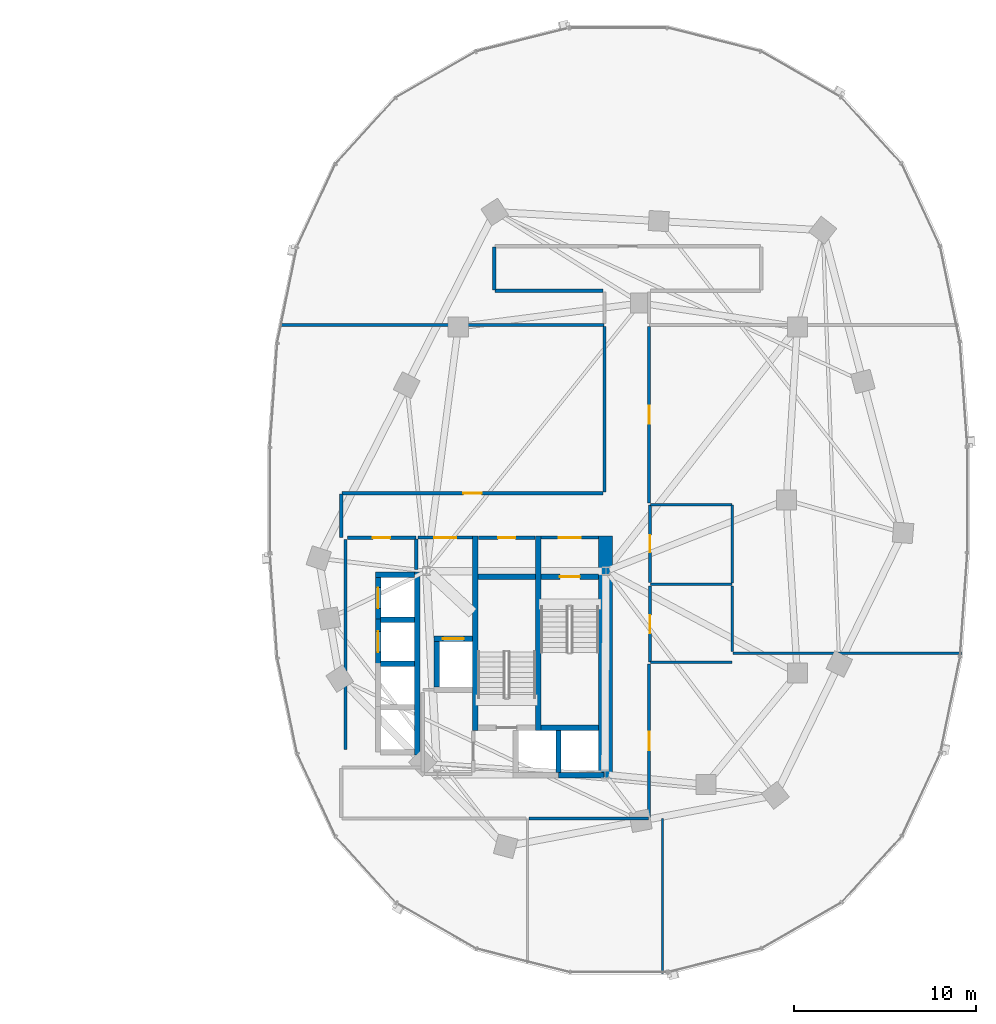
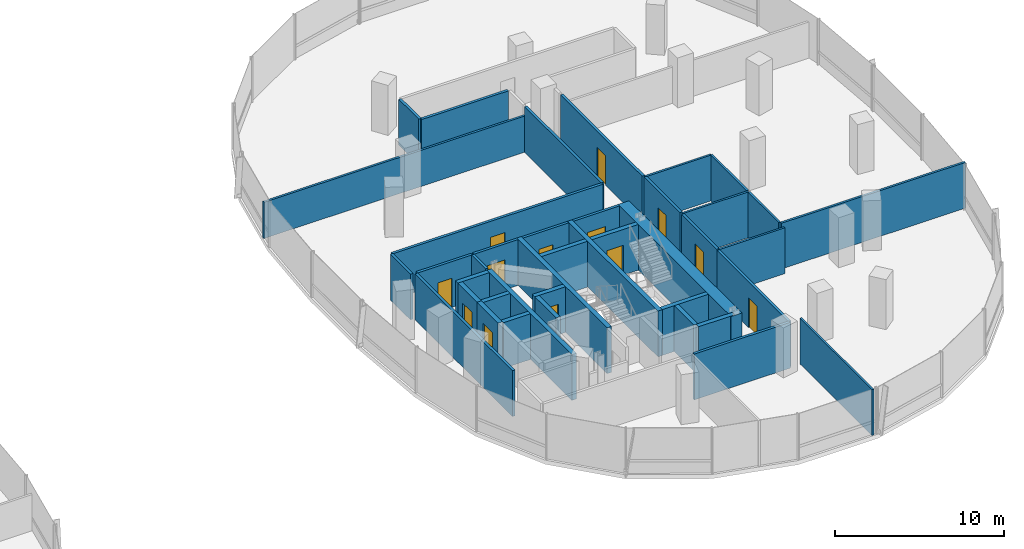
# One storey, part 13 of 21: 40 walls, 13 doors, 13 openings.
"""IFC4 building model written with IfcOpenShell, lengths in metres."""

from ifc_helpers import new_model, si_unit, direction, frame, frame_2d, origin, place, context, subcontext, project, spatial, rectangle, extrude, material, layer, layer_set, type_object, element, fill, save


model = new_model("IFC4")

# Units and contexts
model_context = context("Model", 3, precision=1e-05, world=origin(), true_north=direction((0.0, 1.0)))
body_context = subcontext(model_context, "Body", "Model", "MODEL_VIEW")
ifc_project = project(units=[si_unit("LENGTHUNIT", "METRE"), si_unit("AREAUNIT", "SQUARE_METRE"), si_unit("VOLUMEUNIT", "CUBIC_METRE"), si_unit("PLANEANGLEUNIT", "RADIAN"), si_unit("MASSUNIT", "GRAM", prefix="KILO"), si_unit("THERMODYNAMICTEMPERATUREUNIT", "KELVIN"), si_unit("POWERUNIT", "WATT")], contexts=[model_context])

# Site, building, storey
site_placement = place(None, origin())
site = spatial("IfcSite", under=ifc_project, at=site_placement, CompositionType="ELEMENT")
building_placement = place(site_placement, origin())
building = spatial("IfcBuilding", under=site, at=building_placement, Name="Cundina Bronze Exchange", CompositionType="ELEMENT")
storey_placement = place(building_placement, frame((0.0, 0.0, 110.60009765625)))
storey = spatial("IfcBuildingStorey", under=building, at=storey_placement, Name="L28", CompositionType="ELEMENT", Elevation=110.60009765625)

# Wall
ifc_material_1 = material(Name="Gypsum Fireboard Partition EI120")
ifc_layer_1 = layer(ifc_material_1, 0.179931640625, Name="Gypsum Fireboard Partition EI120")
ifc_layer_set_1 = layer_set([ifc_layer_1], Name="Gypsum Fireboard Partition EI120")
wall_type_1 = type_object("IfcWallType", Name="WL-COR-180", PredefinedType="PARTITIONING", material=ifc_layer_set_1)
wall_1_placement = place(storey_placement, frame((20.889892578125, -3.800048828125, 0.0), z_axis=(0.0, 0.0, 1.0), x_axis=(0.0, 1.0, 0.0)))
element("IfcWall", 1, at=wall_1_placement, inside=storey, type_object=wall_type_1, Name="L28 E Firefighting Lobby Side Wall", PredefinedType="PARTITIONING", context=body_context, shape_type="SweptSolid", body=[
    extrude(rectangle(XDim=1.650146484375, YDim=0.179931640625, at=frame_2d((0.8251953125, 0.0))), origin(), (0.0, 0.0, 1.0), 3.2998046875),
])

# Wall, opening, door
wall_2_placement = place(storey_placement, frame((20.97998046875, -2.06005859375, 0.0), z_axis=(0.0, 0.0, 1.0), x_axis=(1.0, 0.0, 0.0)))
wall_2 = element("IfcWall", 2, at=wall_2_placement, inside=storey, type_object=wall_type_1, Name="L28 E Firefighting Lobby Exit Wall", PredefinedType="PARTITIONING", context=body_context, shape_type="SweptSolid", body=[
    extrude(rectangle(XDim=3.0, YDim=0.179931640625, at=frame_2d((1.5, 0.0))), origin(), (0.0, 0.0, 1.0), 3.2998046875),
])
opening_1_placement = place(wall_2_placement, frame((0.89990234375, 0.0, 0.0)))
opening_1 = element("IfcOpeningElement", 3, at=opening_1_placement, cuts=wall_2, Name="Opening DF-01", PredefinedType="OPENING", context=body_context, shape_type="SweptSolid", body=[
    extrude(rectangle(XDim=1.199951171875, YDim=2.14990234375, at=frame_2d((0.60009765625, 1.074951171875))), frame((0.0, 0.099853515625, 0.0), z_axis=(0.0, -1.0, 0.0), x_axis=(1.0, 0.0, 0.0)), (0.0, 0.0, 1.0), 0.199951171875),
])
ifc_material_2 = material(Name="Steel ASTM A36 Painted", Category="steel")
door_type_1 = type_object("IfcDoorType", Name="DR-FFL-1200", OperationType="NOTDEFINED", PredefinedType="DOOR", material=ifc_material_2)
door_1_placement = place(opening_1_placement, origin())
door_1 = element("IfcDoor", 4, at=door_1_placement, inside=storey, type_object=door_type_1, Name="L28 E Firefighting Lobby Door", OperationType="SINGLE_SWING_LEFT", OverallHeight=2.14990234375, OverallWidth=1.199951171875, PredefinedType="DOOR", context=body_context, shape_type="SweptSolid", body=[
    extrude(rectangle(XDim=1.199951171875, YDim=2.14990234375, at=frame_2d((0.60009765625, 1.074951171875))), frame((0.0, 0.02490234375, 0.0), z_axis=(0.0, -1.0, 0.0), x_axis=(1.0, 0.0, 0.0)), (0.0, 0.0, 1.0), 0.050048828125),
])
fill(opening_1, door_1)

wall_3_placement = place(storey_placement, frame((27.739990234375, -2.06005859375, 0.0), z_axis=(0.0, 0.0, 1.0), x_axis=(1.0, 0.0, 0.0)))
wall_3 = element("IfcWall", 5, at=wall_3_placement, inside=storey, type_object=wall_type_1, Name="L28 E Stair Vestibule Exit Wall", PredefinedType="PARTITIONING", context=body_context, shape_type="SweptSolid", body=[
    extrude(rectangle(XDim=3.159912109375, YDim=0.179931640625, at=frame_2d((1.580078125, 0.0))), origin(), (0.0, 0.0, 1.0), 3.2998046875),
])
opening_2_placement = place(wall_3_placement, frame((0.97998046875, 0.0, 0.0)))
opening_2 = element("IfcOpeningElement", 6, at=opening_2_placement, cuts=wall_3, Name="Opening DF-01", PredefinedType="OPENING", context=body_context, shape_type="SweptSolid", body=[
    extrude(rectangle(XDim=1.199951171875, YDim=2.14990234375, at=frame_2d((0.60009765625, 1.074951171875))), frame((0.0, 0.099853515625, 0.0), z_axis=(0.0, -1.0, 0.0), x_axis=(1.0, 0.0, 0.0)), (0.0, 0.0, 1.0), 0.199951171875),
])
door_2_placement = place(opening_2_placement, origin())
door_2 = element("IfcDoor", 7, at=door_2_placement, inside=storey, type_object=door_type_1, Name="L28 E Stair Vestibule Door", OperationType="SINGLE_SWING_RIGHT", OverallHeight=2.14990234375, OverallWidth=1.199951171875, PredefinedType="DOOR", context=body_context, shape_type="SweptSolid", body=[
    extrude(rectangle(XDim=1.199951171875, YDim=2.14990234375, at=frame_2d((0.60009765625, 1.074951171875))), frame((0.0, 0.02490234375, 0.0), z_axis=(0.0, -1.0, 0.0), x_axis=(1.0, 0.0, 0.0)), (0.0, 0.0, 1.0), 0.050048828125),
])
fill(opening_2, door_2)

# Wall
wall_4_placement = place(storey_placement, frame((17.02001953125, -13.679931640625, 0.0), z_axis=(0.0, 0.0, 1.0), x_axis=(0.0, 1.0, 0.0)))
element("IfcWall", 8, at=wall_4_placement, inside=storey, type_object=wall_type_1, Name="L28 Interior Partition 037", PredefinedType="PARTITIONING", context=body_context, shape_type="SweptSolid", body=[
    extrude(rectangle(XDim=11.510009765625, YDim=0.179931640625, at=frame_2d((5.7548828125, 0.0))), origin(), (0.0, 0.0, 1.0), 3.2998046875),
])

# Wall, opening, door
wall_5_placement = place(storey_placement, frame((17.1201171875, -2.070068359375, 0.0), z_axis=(0.0, 0.0, 1.0), x_axis=(1.0, 0.0, 0.0)))
wall_5 = element("IfcWall", 9, at=wall_5_placement, inside=storey, type_object=wall_type_1, Name="L28 Interior Partition 038", PredefinedType="PARTITIONING", context=body_context, shape_type="SweptSolid", body=[
    extrude(rectangle(XDim=3.75, YDim=0.179931640625, at=frame_2d((1.875, 0.0))), origin(), (0.0, 0.0, 1.0), 3.2998046875),
])
opening_3_placement = place(wall_5_placement, frame((1.39990234375, 0.0, 0.0)))
opening_3 = element("IfcOpeningElement", 10, at=opening_3_placement, cuts=wall_5, Name="Opening DW-01", PredefinedType="OPENING", context=body_context, shape_type="SweptSolid", body=[
    extrude(rectangle(XDim=0.949951171875, YDim=2.10009765625, at=frame_2d((0.47509765625, 1.050048828125))), frame((0.0, 0.099853515625, 0.0), z_axis=(0.0, -1.0, 0.0), x_axis=(1.0, 0.0, 0.0)), (0.0, 0.0, 1.0), 0.199951171875),
])
ifc_material_3 = material(Name="Solid Andean Oak Timber Grade A", Category="wood")
door_type_2 = type_object("IfcDoorType", Name="DR-WC-950", OperationType="NOTDEFINED", PredefinedType="DOOR", material=ifc_material_3)
door_3_placement = place(opening_3_placement, origin())
door_3 = element("IfcDoor", 11, at=door_3_placement, inside=storey, type_object=door_type_2, Name="L28 Interior Door 038", OperationType="SINGLE_SWING_RIGHT", OverallHeight=2.10009765625, OverallWidth=0.949951171875, PredefinedType="DOOR", context=body_context, shape_type="SweptSolid", body=[
    extrude(rectangle(XDim=0.949951171875, YDim=2.10009765625, at=frame_2d((0.47509765625, 1.050048828125))), frame((0.0, 0.02490234375, 0.0), z_axis=(0.0, -1.0, 0.0), x_axis=(1.0, 0.0, 0.0)), (0.0, 0.0, 1.0), 0.050048828125),
])
fill(opening_3, door_3)

wall_6_placement = place(storey_placement, frame((24.300048828125, -2.070068359375, 0.0), z_axis=(0.0, 0.0, 1.0), x_axis=(1.0, 0.0, 0.0)))
wall_6 = element("IfcWall", 12, at=wall_6_placement, inside=storey, type_object=wall_type_1, Name="L28 Interior Partition 042", PredefinedType="PARTITIONING", context=body_context, shape_type="SweptSolid", body=[
    extrude(rectangle(XDim=3.119873046875, YDim=0.179931640625, at=frame_2d((1.56005859375, 0.0))), origin(), (0.0, 0.0, 1.0), 3.2998046875),
])
opening_4_placement = place(wall_6_placement, frame((1.0849609375, 0.0, 0.0)))
opening_4 = element("IfcOpeningElement", 13, at=opening_4_placement, cuts=wall_6, Name="Opening DW-01", PredefinedType="OPENING", context=body_context, shape_type="SweptSolid", body=[
    extrude(rectangle(XDim=0.949951171875, YDim=2.10009765625, at=frame_2d((0.47509765625, 1.050048828125))), frame((0.0, 0.099853515625, 0.0), z_axis=(0.0, -1.0, 0.0), x_axis=(1.0, 0.0, 0.0)), (0.0, 0.0, 1.0), 0.199951171875),
])
door_4_placement = place(opening_4_placement, origin())
door_4 = element("IfcDoor", 14, at=door_4_placement, inside=storey, type_object=door_type_2, Name="L28 Interior Door 042", OperationType="SINGLE_SWING_LEFT", OverallHeight=2.10009765625, OverallWidth=0.949951171875, PredefinedType="DOOR", context=body_context, shape_type="SweptSolid", body=[
    extrude(rectangle(XDim=0.949951171875, YDim=2.10009765625, at=frame_2d((0.47509765625, 1.050048828125))), frame((0.0, 0.02490234375, 0.0), z_axis=(0.0, -1.0, 0.0), x_axis=(1.0, 0.0, 0.0)), (0.0, 0.0, 1.0), 0.050048828125),
])
fill(opening_4, door_4)

wall_7_placement = place(storey_placement, frame((33.719970703125, -4.530029296875, 0.0), z_axis=(0.0, 0.0, 1.0), x_axis=(0.0, 1.0, 0.0)))
wall_7 = element("IfcWall", 15, at=wall_7_placement, inside=storey, type_object=wall_type_1, Name="L28 Interior Partition 049", PredefinedType="PARTITIONING", context=body_context, shape_type="SweptSolid", body=[
    extrude(rectangle(XDim=4.260009765625, YDim=0.179931640625, at=frame_2d((2.1298828125, 0.0))), origin(), (0.0, 0.0, 1.0), 3.2998046875),
])
opening_5_placement = place(wall_7_placement, frame((1.655029296875, 0.0, 0.0)))
opening_5 = element("IfcOpeningElement", 16, at=opening_5_placement, cuts=wall_7, Name="Opening DW-01", PredefinedType="OPENING", context=body_context, shape_type="SweptSolid", body=[
    extrude(rectangle(XDim=0.949951171875, YDim=2.10009765625, at=frame_2d((0.47509765625, 1.050048828125))), frame((0.0, 0.099853515625, 0.0), z_axis=(0.0, -1.0, 0.0), x_axis=(1.0, 0.0, 0.0)), (0.0, 0.0, 1.0), 0.199951171875),
])
door_5_placement = place(opening_5_placement, origin())
door_5 = element("IfcDoor", 17, at=door_5_placement, inside=storey, type_object=door_type_2, Name="L28 Interior Door 049", OperationType="SINGLE_SWING_RIGHT", OverallHeight=2.10009765625, OverallWidth=0.949951171875, PredefinedType="DOOR", context=body_context, shape_type="SweptSolid", body=[
    extrude(rectangle(XDim=0.949951171875, YDim=2.10009765625, at=frame_2d((0.47509765625, 1.050048828125))), frame((0.0, 0.02490234375, 0.0), z_axis=(0.0, -1.0, 0.0), x_axis=(1.0, 0.0, 0.0)), (0.0, 0.0, 1.0), 0.050048828125),
])
fill(opening_5, door_5)

wall_8_placement = place(storey_placement, frame((33.719970703125, -8.889892578125, 0.0), z_axis=(0.0, 0.0, 1.0), x_axis=(0.0, 1.0, 0.0)))
wall_8 = element("IfcWall", 18, at=wall_8_placement, inside=storey, type_object=wall_type_1, Name="L28 Interior Partition 050", PredefinedType="PARTITIONING", context=body_context, shape_type="SweptSolid", body=[
    extrude(rectangle(XDim=4.159912109375, YDim=0.179931640625, at=frame_2d((2.080078125, 0.0))), origin(), (0.0, 0.0, 1.0), 3.2998046875),
])
opening_6_placement = place(wall_8_placement, frame((1.580078125, 0.0, 0.0)))
opening_6 = element("IfcOpeningElement", 19, at=opening_6_placement, cuts=wall_8, Name="Opening DO-01", PredefinedType="OPENING", context=body_context, shape_type="SweptSolid", body=[
    extrude(rectangle(XDim=1.0, YDim=2.14990234375, at=frame_2d((0.5, 1.074951171875))), frame((0.0, 0.099853515625, 0.0), z_axis=(0.0, -1.0, 0.0), x_axis=(1.0, 0.0, 0.0)), (0.0, 0.0, 1.0), 0.199951171875),
])
door_type_3 = type_object("IfcDoorType", Name="DR-OFF-1000", OperationType="NOTDEFINED", PredefinedType="DOOR", material=ifc_material_3)
door_6_placement = place(opening_6_placement, origin())
door_6 = element("IfcDoor", 20, at=door_6_placement, inside=storey, type_object=door_type_3, Name="L28 Interior Door 050", OperationType="SINGLE_SWING_RIGHT", OverallHeight=2.14990234375, OverallWidth=1.0, PredefinedType="DOOR", context=body_context, shape_type="SweptSolid", body=[
    extrude(rectangle(XDim=1.0, YDim=2.14990234375, at=frame_2d((0.5, 1.074951171875))), frame((0.0, 0.02490234375, 0.0), z_axis=(0.0, -1.0, 0.0), x_axis=(1.0, 0.0, 0.0)), (0.0, 0.0, 1.0), 0.050048828125),
])
fill(opening_6, door_6)

wall_9_placement = place(storey_placement, frame((33.669921875, -17.428466796875, 0.0), z_axis=(0.0, 0.0, 1.0), x_axis=(0.0, 1.0, 0.0)))
wall_9 = element("IfcWall", 21, at=wall_9_placement, inside=storey, type_object=wall_type_1, Name="L28 Interior Partition 056", PredefinedType="PARTITIONING", context=body_context, shape_type="SweptSolid", body=[
    extrude(rectangle(XDim=8.427001953125, YDim=0.179931640625, at=frame_2d((4.21337890625, 0.0))), origin(), (0.0, 0.0, 1.0), 3.2998046875),
])
opening_7_placement = place(wall_9_placement, frame((3.71337890625, 0.0, 0.0)))
opening_7 = element("IfcOpeningElement", 22, at=opening_7_placement, cuts=wall_9, Name="Opening DO-01", PredefinedType="OPENING", context=body_context, shape_type="SweptSolid", body=[
    extrude(rectangle(XDim=1.0, YDim=2.14990234375, at=frame_2d((0.5, 1.074951171875))), frame((0.0, 0.099853515625, 0.0), z_axis=(0.0, -1.0, 0.0), x_axis=(1.0, 0.0, 0.0)), (0.0, 0.0, 1.0), 0.199951171875),
])
door_7_placement = place(opening_7_placement, origin())
door_7 = element("IfcDoor", 23, at=door_7_placement, inside=storey, type_object=door_type_3, Name="L28 Interior Door 056", OperationType="SINGLE_SWING_RIGHT", OverallHeight=2.14990234375, OverallWidth=1.0, PredefinedType="DOOR", context=body_context, shape_type="SweptSolid", body=[
    extrude(rectangle(XDim=1.0, YDim=2.14990234375, at=frame_2d((0.5, 1.074951171875))), frame((0.0, 0.02490234375, 0.0), z_axis=(0.0, -1.0, 0.0), x_axis=(1.0, 0.0, 0.0)), (0.0, 0.0, 1.0), 0.050048828125),
])
fill(opening_7, door_7)

# Wall
wall_10_placement = place(storey_placement, frame((27.090087890625, -17.469970703125, 0.0), z_axis=(0.0, 0.0, 1.0), x_axis=(1.0, 0.0, 0.0)))
element("IfcWall", 24, at=wall_10_placement, inside=storey, type_object=wall_type_1, Name="L28 Interior Partition 057", PredefinedType="PARTITIONING", context=body_context, shape_type="SweptSolid", body=[
    extrude(rectangle(XDim=6.538330078125, YDim=0.179931640625, at=frame_2d((3.26904296875, 0.0))), origin(), (0.0, 0.0, 1.0), 3.2998046875),
])

# Wall, opening, door
wall_11_placement = place(storey_placement, frame((31.14990234375, 0.3701171875, 0.0), z_axis=(0.0, 0.0, 1.0), x_axis=(-1.0, 0.0, 0.0)))
wall_11 = element("IfcWall", 25, at=wall_11_placement, inside=storey, type_object=wall_type_1, Name="L28 Interior Partition 058", PredefinedType="PARTITIONING", context=body_context, shape_type="SweptSolid", body=[
    extrude(rectangle(XDim=14.328369140625, YDim=0.179931640625, at=frame_2d((7.1640625, 0.0))), origin(), (0.0, 0.0, 1.0), 3.2998046875),
])
opening_8_placement = place(wall_11_placement, frame((6.664306640625, 0.0, 0.0)))
opening_8 = element("IfcOpeningElement", 26, at=opening_8_placement, cuts=wall_11, Name="Opening DO-01", PredefinedType="OPENING", context=body_context, shape_type="SweptSolid", body=[
    extrude(rectangle(XDim=1.0, YDim=2.14990234375, at=frame_2d((0.5, 1.074951171875))), frame((0.0, 0.099853515625, 0.0), z_axis=(0.0, -1.0, 0.0), x_axis=(1.0, 0.0, 0.0)), (0.0, 0.0, 1.0), 0.199951171875),
])
door_8_placement = place(opening_8_placement, origin())
door_8 = element("IfcDoor", 27, at=door_8_placement, inside=storey, type_object=door_type_3, Name="L28 Interior Door 058", OperationType="SINGLE_SWING_RIGHT", OverallHeight=2.14990234375, OverallWidth=1.0, PredefinedType="DOOR", context=body_context, shape_type="SweptSolid", body=[
    extrude(rectangle(XDim=1.0, YDim=2.14990234375, at=frame_2d((0.5, 1.074951171875))), frame((0.0, 0.02490234375, 0.0), z_axis=(0.0, -1.0, 0.0), x_axis=(1.0, 0.0, 0.0)), (0.0, 0.0, 1.0), 0.050048828125),
])
fill(opening_8, door_8)

# Walls
wall_12_placement = place(storey_placement, frame((31.22998046875, 9.510009765625, 0.0), z_axis=(0.0, 0.0, 1.0), x_axis=(0.0, -1.0, 0.0)))
element("IfcWall", 28, at=wall_12_placement, inside=storey, type_object=wall_type_1, Name="L28 Interior Partition 060", PredefinedType="PARTITIONING", context=body_context, shape_type="SweptSolid", body=[
    extrude(rectangle(XDim=9.06005859375, YDim=0.179931640625, at=frame_2d((4.530029296875, 0.0))), origin(), (0.0, 0.0, 1.0), 3.2998046875),
])
wall_13_placement = place(storey_placement, frame((16.780029296875, 0.32861328125, 0.0), z_axis=(0.0, 0.0, 1.0), x_axis=(0.0, -1.0, 0.0)))
element("IfcWall", 29, at=wall_13_placement, inside=storey, type_object=wall_type_1, Name="L28 Interior Partition 063", PredefinedType="PARTITIONING", context=body_context, shape_type="SweptSolid", body=[
    extrude(rectangle(XDim=2.38720703125, YDim=0.179931640625, at=frame_2d((1.193603515625, 0.0))), origin(), (0.0, 0.0, 1.0), 3.2998046875),
])

# Wall, opening, door
wall_14_placement = place(storey_placement, frame((33.669921875, -0.15869140625, 0.0), z_axis=(0.0, 0.0, 1.0), x_axis=(0.0, 1.0, 0.0)))
wall_14 = element("IfcWall", 30, at=wall_14_placement, inside=storey, type_object=wall_type_1, Name="L28 Interior Partition 064", PredefinedType="PARTITIONING", context=body_context, shape_type="SweptSolid", body=[
    extrude(rectangle(XDim=9.668701171875, YDim=0.179931640625, at=frame_2d((4.83447265625, 0.0))), origin(), (0.0, 0.0, 1.0), 3.2998046875),
])
opening_9_placement = place(wall_14_placement, frame((4.334228515625, 0.0, 0.0)))
opening_9 = element("IfcOpeningElement", 31, at=opening_9_placement, cuts=wall_14, Name="Opening DO-01", PredefinedType="OPENING", context=body_context, shape_type="SweptSolid", body=[
    extrude(rectangle(XDim=1.0, YDim=2.14990234375, at=frame_2d((0.5, 1.074951171875))), frame((0.0, 0.099853515625, 0.0), z_axis=(0.0, -1.0, 0.0), x_axis=(1.0, 0.0, 0.0)), (0.0, 0.0, 1.0), 0.199951171875),
])
door_9_placement = place(opening_9_placement, origin())
door_9 = element("IfcDoor", 32, at=door_9_placement, inside=storey, type_object=door_type_3, Name="L28 Interior Door 064", OperationType="SINGLE_SWING_LEFT", OverallHeight=2.14990234375, OverallWidth=1.0, PredefinedType="DOOR", context=body_context, shape_type="SweptSolid", body=[
    extrude(rectangle(XDim=1.0, YDim=2.14990234375, at=frame_2d((0.5, 1.074951171875))), frame((0.0, 0.02490234375, 0.0), z_axis=(0.0, -1.0, 0.0), x_axis=(1.0, 0.0, 0.0)), (0.0, 0.0, 1.0), 0.050048828125),
])
fill(opening_9, door_9)

# Walls
wall_15_placement = place(storey_placement, frame((25.221435546875, 11.47998046875, 0.0), z_axis=(0.0, 0.0, 1.0), x_axis=(1.0, 0.0, 0.0)))
element("IfcWall", 33, at=wall_15_placement, inside=storey, type_object=wall_type_1, Name="L28 Interior Partition 067", PredefinedType="PARTITIONING", context=body_context, shape_type="SweptSolid", body=[
    extrude(rectangle(XDim=5.928466796875, YDim=0.179931640625, at=frame_2d((2.96435546875, 0.0))), origin(), (0.0, 0.0, 1.0), 3.2998046875),
])
wall_16_placement = place(storey_placement, frame((25.179931640625, 13.87841796875, 0.0), z_axis=(0.0, 0.0, 1.0), x_axis=(0.0, -1.0, 0.0)))
element("IfcWall", 34, at=wall_16_placement, inside=storey, type_object=wall_type_1, Name="L28 Interior Partition 069", PredefinedType="PARTITIONING", context=body_context, shape_type="SweptSolid", body=[
    extrude(rectangle(XDim=2.35693359375, YDim=0.179931640625, at=frame_2d((1.178466796875, 0.0))), origin(), (0.0, 0.0, 1.0), 3.2998046875),
])
ifc_material_4 = material(Name="Concrete C60/75", Category="concrete")
ifc_layer_2 = layer(ifc_material_4, 0.75, Name="Concrete C60/75", Category="concrete")
ifc_layer_set_2 = layer_set([ifc_layer_2], Name="Concrete C60/75")
wall_type_2 = type_object("IfcWallType", Name="WL-CORE-750", PredefinedType="SHEAR", material=ifc_layer_set_2)
wall_17_placement = place(storey_placement, frame((31.27490234375, -15.300048828125, 0.0), z_axis=(0.0, 0.0, 1.0), x_axis=(0.0, 1.0, 0.0)))
element("IfcWall", 35, at=wall_17_placement, inside=storey, type_object=wall_type_2, Name="L28 E Primary Core Shear Spine Wall", PredefinedType="SHEAR", context=body_context, shape_type="SweptSolid", body=[
    extrude(rectangle(XDim=13.330078125, YDim=0.75, at=frame_2d((6.6650390625, 0.0))), origin(), (0.0, 0.0, 1.0), 3.2998046875),
])
ifc_material_5 = material(Name="Gypsum Acoustic Partition EI60")
ifc_layer_3 = layer(ifc_material_5, 0.125, Name="Gypsum Acoustic Partition EI60")
ifc_layer_set_3 = layer_set([ifc_layer_3], Name="Gypsum Acoustic Partition EI60")
wall_type_3 = type_object("IfcWallType", Name="WL-OFF-125", PredefinedType="PARTITIONING", material=ifc_layer_set_3)
wall_18_placement = place(storey_placement, frame((34.39990234375, -25.985107421875, 0.0), z_axis=(0.0, 0.0, 1.0), x_axis=(0.0, 1.0, 0.0)))
element("IfcWall", 36, at=wall_18_placement, inside=storey, type_object=wall_type_3, Name="L28 Interior Partition 055", PredefinedType="PARTITIONING", context=body_context, shape_type="SweptSolid", body=[
    extrude(rectangle(XDim=8.51513671875, YDim=0.125, at=frame_2d((4.257568359375, 0.0))), origin(), (0.0, 0.0, 1.0), 3.2998046875),
])
ifc_material_6 = material(Name="Concrete C50/60", Category="concrete")
ifc_layer_4 = layer(ifc_material_6, 0.300048828125, Name="Concrete C50/60", Category="concrete")
ifc_layer_set_4 = layer_set([ifc_layer_4], Name="Concrete C50/60")
wall_type_4 = type_object("IfcWallType", Name="WL-SHFT-300", PredefinedType="SHEAR", material=ifc_layer_set_4)
for number, where, z_axis, x_axis, name in (
    (37, (27.590087890625, -12.64990234375, 0.0), (0.0, 0.0, 1.0), (0.0, 1.0, 0.0), "L28 E Stair Shaft Dividing Shear Wall"),
    (38, (24.1298828125, -12.64990234375, 0.0), (0.0, 0.0, 1.0), (0.0, 1.0, 0.0), "L28 E Stair 2 East Shear Wall"),
):
    element("IfcWall", number, at=place(storey_placement, frame(where, z_axis=z_axis, x_axis=x_axis)), inside=storey, type_object=wall_type_4, Name=name, PredefinedType="SHEAR", context=body_context, shape_type="SweptSolid", body=[
        extrude(rectangle(XDim=10.679931640625, YDim=0.300048828125, at=frame_2d((5.33984375, 0.0))), origin(), (0.0, 0.0, 1.0), 3.2998046875),
    ])

# Wall, opening, door
wall_19_placement = place(storey_placement, frame((27.739990234375, -4.199951171875, 0.0), z_axis=(0.0, 0.0, 1.0), x_axis=(1.0, 0.0, 0.0)))
wall_19 = element("IfcWall", 39, at=wall_19_placement, inside=storey, type_object=wall_type_4, Name="L28 Stair E1 Landing Wall", PredefinedType="SHEAR", context=body_context, shape_type="SweptSolid", body=[
    extrude(rectangle(XDim=3.159912109375, YDim=0.300048828125, at=frame_2d((1.580078125, 0.0))), origin(), (0.0, 0.0, 1.0), 3.2998046875),
])
opening_10_placement = place(wall_19_placement, frame((1.030029296875, 0.0, 0.0)))
opening_10 = element("IfcOpeningElement", 40, at=opening_10_placement, cuts=wall_19, Name="Opening DS-01", PredefinedType="OPENING", context=body_context, shape_type="SweptSolid", body=[
    extrude(rectangle(XDim=1.10009765625, YDim=2.14990234375, at=frame_2d((0.550048828125, 1.074951171875))), frame((0.0, 0.159912109375, 0.0), z_axis=(0.0, -1.0, 0.0), x_axis=(1.0, 0.0, 0.0)), (0.0, 0.0, 1.0), 0.320068359375),
])
door_type_4 = type_object("IfcDoorType", Name="DR-STR-1100", OperationType="NOTDEFINED", PredefinedType="DOOR", material=ifc_material_2)
door_10_placement = place(opening_10_placement, origin())
door_10 = element("IfcDoor", 41, at=door_10_placement, inside=storey, type_object=door_type_4, Name="L28 Smokeproof Stair E1 Door", OperationType="SINGLE_SWING_LEFT", OverallHeight=2.14990234375, OverallWidth=1.10009765625, PredefinedType="DOOR", context=body_context, shape_type="SweptSolid", body=[
    extrude(rectangle(XDim=1.10009765625, YDim=2.14990234375, at=frame_2d((0.550048828125, 1.074951171875))), frame((0.0, 0.02490234375, 0.0), z_axis=(0.0, -1.0, 0.0), x_axis=(1.0, 0.0, 0.0)), (0.0, 0.0, 1.0), 0.050048828125),
])
fill(opening_10, door_10)

# Walls
for number, where, z_axis, x_axis, name in (
    (42, (27.739990234375, -12.5, 0.0), (0.0, 0.0, 1.0), (1.0, 0.0, 0.0), "L28 Stair E1 Far Shaft Wall"),
    (43, (24.280029296875, -4.199951171875, 0.0), (0.0, 0.0, 1.0), (1.0, 0.0, 0.0), "L28 Stair E2 Far Shaft Wall"),
):
    element("IfcWall", number, at=place(storey_placement, frame(where, z_axis=z_axis, x_axis=x_axis)), inside=storey, type_object=wall_type_4, Name=name, PredefinedType="SHEAR", context=body_context, shape_type="SweptSolid", body=[
        extrude(rectangle(XDim=3.159912109375, YDim=0.300048828125, at=frame_2d((1.580078125, 0.0))), origin(), (0.0, 0.0, 1.0), 3.2998046875),
    ])

# Wall, opening, door
wall_20_placement = place(storey_placement, frame((21.8798828125, -7.60009765625, 0.0), z_axis=(0.0, 0.0, 1.0), x_axis=(1.0, 0.0, 0.0)))
wall_20 = element("IfcWall", 44, at=wall_20_placement, inside=storey, type_object=wall_type_4, Name="L28 FFL-E Hoistway Front Wall", PredefinedType="SHEAR", context=body_context, shape_type="SweptSolid", body=[
    extrude(rectangle(XDim=2.10009765625, YDim=0.300048828125, at=frame_2d((1.050048828125, 0.0))), origin(), (0.0, 0.0, 1.0), 3.2998046875),
])
opening_11_placement = place(wall_20_placement, frame((0.47509765625, 0.0, 0.0)))
opening_11 = element("IfcOpeningElement", 45, at=opening_11_placement, cuts=wall_20, Name="Opening LD-01", PredefinedType="OPENING", context=body_context, shape_type="SweptSolid", body=[
    extrude(rectangle(XDim=1.14990234375, YDim=2.199951171875, at=frame_2d((0.574951171875, 1.10009765625))), frame((0.0, 0.159912109375, 0.0), z_axis=(0.0, -1.0, 0.0), x_axis=(1.0, 0.0, 0.0)), (0.0, 0.0, 1.0), 0.320068359375),
])
door_type_5 = type_object("IfcDoorType", Name="DR-LND-1150", OperationType="NOTDEFINED", PredefinedType="TRAPDOOR", material=ifc_material_2)
door_11_placement = place(opening_11_placement, origin())
door_11 = element("IfcDoor", 46, at=door_11_placement, inside=storey, type_object=door_type_5, Name="L28 FFL-E Sliding Landing Door", OperationType="SLIDING_TO_LEFT", OverallHeight=2.199951171875, OverallWidth=1.14990234375, PredefinedType="TRAPDOOR", context=body_context, shape_type="SweptSolid", body=[
    extrude(rectangle(XDim=1.14990234375, YDim=2.199951171875, at=frame_2d((0.574951171875, 1.10009765625))), frame((0.0, 0.02490234375, 0.0), z_axis=(0.0, -1.0, 0.0), x_axis=(1.0, 0.0, 0.0)), (0.0, 0.0, 1.0), 0.050048828125),
])
fill(opening_11, door_11)

# Walls
for number, where, z_axis, x_axis, name in (
    (47, (22.030029296875, -10.25, 0.0), (0.0, 0.0, 1.0), (0.0, 1.0, 0.0), "L28 FFL-E Hoistway Side Wall"),
    (48, (28.699951171875, -15.10009765625, 0.0), (0.0, 0.0, 1.0), (1.0, 0.0, 0.0), "L28 PH-E1 Hoistway Front Wall"),
):
    element("IfcWall", number, at=place(storey_placement, frame(where, z_axis=z_axis, x_axis=x_axis)), inside=storey, type_object=wall_type_4, Name=name, PredefinedType="SHEAR", context=body_context, shape_type="SweptSolid", body=[
        extrude(rectangle(XDim=2.5, YDim=0.300048828125, at=frame_2d((1.25, 0.0))), origin(), (0.0, 0.0, 1.0), 3.2998046875),
    ])
wall_21_placement = place(storey_placement, frame((28.699951171875, -14.949951171875, 0.0), z_axis=(0.0, 0.0, 1.0), x_axis=(0.0, 1.0, 0.0)))
element("IfcWall", 49, at=wall_21_placement, inside=storey, type_object=wall_type_4, Name="L28 PH-E1 Hoistway Divider Wall", PredefinedType="SHEAR", context=body_context, shape_type="SweptSolid", body=[
    extrude(rectangle(XDim=2.300048828125, YDim=0.300048828125, at=frame_2d((1.14990234375, 0.0))), origin(), (0.0, 0.0, 1.0), 3.2998046875),
])
wall_22_placement = place(storey_placement, frame((20.949951171875, -14.0, 0.0), z_axis=(0.0, 0.0, 1.0), x_axis=(0.0, 1.0, 0.0)))
element("IfcWall", 50, at=wall_22_placement, inside=storey, type_object=wall_type_4, Name="L28 E Passenger Bank Hoistway Back Wall", PredefinedType="SHEAR", context=body_context, shape_type="SweptSolid", body=[
    extrude(rectangle(XDim=10.050048828125, YDim=0.300048828125, at=frame_2d((5.02490234375, 0.0))), origin(), (0.0, 0.0, 1.0), 3.2998046875),
])
wall_23_placement = place(storey_placement, frame((18.64990234375, -4.10009765625, 0.0), z_axis=(0.0, 0.0, 1.0), x_axis=(1.0, 0.0, 0.0)))
element("IfcWall", 51, at=wall_23_placement, inside=storey, type_object=wall_type_4, Name="L28 E Passenger Bank North Cap Wall", PredefinedType="SHEAR", context=body_context, shape_type="SweptSolid", body=[
    extrude(rectangle(XDim=2.150146484375, YDim=0.300048828125, at=frame_2d((1.0751953125, 0.0))), origin(), (0.0, 0.0, 1.0), 3.2998046875),
])
for number, where, z_axis, x_axis, name in (
    (52, (18.949951171875, -8.97509765625, 0.0), (0.0, 0.0, 1.0), (1.0, 0.0, 0.0), "L28 E Passenger Hoistway Divider 2"),
    (53, (18.949951171875, -6.574951171875, 0.0), (0.0, 0.0, 1.0), (1.0, 0.0, 0.0), "L28 E Passenger Hoistway Divider 3"),
):
    element("IfcWall", number, at=place(storey_placement, frame(where, z_axis=z_axis, x_axis=x_axis)), inside=storey, type_object=wall_type_4, Name=name, PredefinedType="SHEAR", context=body_context, shape_type="SweptSolid", body=[
        extrude(rectangle(XDim=1.85009765625, YDim=0.300048828125, at=frame_2d((0.925048828125, 0.0))), origin(), (0.0, 0.0, 1.0), 3.2998046875),
    ])

# Wall, opening, door
wall_24_placement = place(storey_placement, frame((18.800048828125, -9.02001953125, 0.0), z_axis=(0.0, 0.0, 1.0), x_axis=(0.0, 1.0, 0.0)))
wall_24 = element("IfcWall", 54, at=wall_24_placement, inside=storey, type_object=wall_type_4, Name="L28 PL-E1 Hoistway Front Wall", PredefinedType="SHEAR", context=body_context, shape_type="SweptSolid", body=[
    extrude(rectangle(XDim=2.489990234375, YDim=0.300048828125, at=frame_2d((1.2451171875, 0.0))), origin(), (0.0, 0.0, 1.0), 3.2998046875),
])
opening_12_placement = place(wall_24_placement, frame((0.669921875, 0.0, 0.0)))
opening_12 = element("IfcOpeningElement", 55, at=opening_12_placement, cuts=wall_24, Name="Opening LD-01", PredefinedType="OPENING", context=body_context, shape_type="SweptSolid", body=[
    extrude(rectangle(XDim=1.14990234375, YDim=2.199951171875, at=frame_2d((0.574951171875, 1.10009765625))), frame((0.0, 0.159912109375, 0.0), z_axis=(0.0, -1.0, 0.0), x_axis=(1.0, 0.0, 0.0)), (0.0, 0.0, 1.0), 0.320068359375),
])
door_12_placement = place(opening_12_placement, origin())
door_12 = element("IfcDoor", 56, at=door_12_placement, inside=storey, type_object=door_type_5, Name="L28 PL-E1 Sliding Landing Door", OperationType="SLIDING_TO_LEFT", OverallHeight=2.199951171875, OverallWidth=1.14990234375, PredefinedType="TRAPDOOR", context=body_context, shape_type="SweptSolid", body=[
    extrude(rectangle(XDim=1.14990234375, YDim=2.199951171875, at=frame_2d((0.574951171875, 1.10009765625))), frame((0.0, 0.02490234375, 0.0), z_axis=(0.0, -1.0, 0.0), x_axis=(1.0, 0.0, 0.0)), (0.0, 0.0, 1.0), 0.050048828125),
])
fill(opening_12, door_12)

wall_25_placement = place(storey_placement, frame((18.800048828125, -6.6201171875, 0.0), z_axis=(0.0, 0.0, 1.0), x_axis=(0.0, 1.0, 0.0)))
wall_25 = element("IfcWall", 57, at=wall_25_placement, inside=storey, type_object=wall_type_4, Name="L28 PL-E2 Hoistway Front Wall", PredefinedType="SHEAR", context=body_context, shape_type="SweptSolid", body=[
    extrude(rectangle(XDim=2.490234375, YDim=0.300048828125, at=frame_2d((1.2451171875, 0.0))), origin(), (0.0, 0.0, 1.0), 3.2998046875),
])
opening_13_placement = place(wall_25_placement, frame((0.669921875, 0.0, 0.0)))
opening_13 = element("IfcOpeningElement", 58, at=opening_13_placement, cuts=wall_25, Name="Opening LD-01", PredefinedType="OPENING", context=body_context, shape_type="SweptSolid", body=[
    extrude(rectangle(XDim=1.14990234375, YDim=2.199951171875, at=frame_2d((0.574951171875, 1.10009765625))), frame((0.0, 0.159912109375, 0.0), z_axis=(0.0, -1.0, 0.0), x_axis=(1.0, 0.0, 0.0)), (0.0, 0.0, 1.0), 0.320068359375),
])
door_13_placement = place(opening_13_placement, origin())
door_13 = element("IfcDoor", 59, at=door_13_placement, inside=storey, type_object=door_type_5, Name="L28 PL-E2 Sliding Landing Door", OperationType="SLIDING_TO_LEFT", OverallHeight=2.199951171875, OverallWidth=1.14990234375, PredefinedType="TRAPDOOR", context=body_context, shape_type="SweptSolid", body=[
    extrude(rectangle(XDim=1.14990234375, YDim=2.199951171875, at=frame_2d((0.574951171875, 1.10009765625))), frame((0.0, 0.02490234375, 0.0), z_axis=(0.0, -1.0, 0.0), x_axis=(1.0, 0.0, 0.0)), (0.0, 0.0, 1.0), 0.050048828125),
])
fill(opening_13, door_13)

# Walls
ifc_layer_5 = layer(ifc_material_5, 0.14990234375, Name="Gypsum Acoustic Partition EI60")
ifc_layer_set_5 = layer_set([ifc_layer_5], Name="Gypsum Acoustic Partition EI60")
wall_type_5 = type_object("IfcWallType", Name="WL-TEN-150", PredefinedType="PARTITIONING", material=ifc_layer_set_5)
wall_26_placement = place(storey_placement, frame((13.390380859375, 9.60009765625, 0.0), z_axis=(0.0, 0.0, 1.0), x_axis=(1.0, 0.0, 0.0)))
element("IfcWall", 60, at=wall_26_placement, inside=storey, type_object=wall_type_5, Name="L28 Interior Partition 051", PredefinedType="PARTITIONING", context=body_context, shape_type="SweptSolid", body=[
    extrude(rectangle(XDim=17.8095703125, YDim=0.14990234375, at=frame_2d((8.90478515625, 0.0))), origin(), (0.0, 0.0, 1.0), 2.60498046875),
])
wall_27_placement = place(storey_placement, frame((38.27001953125, -8.39990234375, 0.0), z_axis=(0.0, 0.0, 1.0), x_axis=(1.0, 0.0, 0.0)))
element("IfcWall", 61, at=wall_27_placement, inside=storey, type_object=wall_type_5, Name="L28 Interior Partition 053", PredefinedType="PARTITIONING", context=body_context, shape_type="SweptSolid", body=[
    extrude(rectangle(XDim=12.552734375, YDim=0.14990234375, at=frame_2d((6.2763671875, 0.0))), origin(), (0.0, 0.0, 1.0), 3.2998046875),
])
ifc_material_7 = material(Name="Moisture-Resistant Masonry Block Grade M15", Category="masonry")
ifc_layer_6 = layer(ifc_material_7, 0.139892578125, Name="Moisture-Resistant Masonry Block Grade M15", Category="masonry")
ifc_layer_set_6 = layer_set([ifc_layer_6], Name="Moisture-Resistant Masonry Block Grade M15")
wall_type_6 = type_object("IfcWallType", Name="WL-WET-140", PredefinedType="PARTITIONING", material=ifc_layer_set_6)
wall_28_placement = place(storey_placement, frame((38.239990234375, -8.31494140625, 0.0), z_axis=(0.0, 0.0, 1.0), x_axis=(0.0, 1.0, 0.0)))
element("IfcWall", 62, at=wall_28_placement, inside=storey, type_object=wall_type_6, Name="L28 Interior Partition 044", PredefinedType="PARTITIONING", context=body_context, shape_type="SweptSolid", body=[
    extrude(rectangle(XDim=3.599853515625, YDim=0.139892578125, at=frame_2d((1.7998046875, 0.0))), origin(), (0.0, 0.0, 1.0), 3.2998046875),
])
wall_29_placement = place(storey_placement, frame((38.239990234375, -4.544921875, 0.0), z_axis=(0.0, 0.0, 1.0), x_axis=(0.0, 1.0, 0.0)))
element("IfcWall", 63, at=wall_29_placement, inside=storey, type_object=wall_type_6, Name="L28 Interior Partition 045", PredefinedType="PARTITIONING", context=body_context, shape_type="SweptSolid", body=[
    extrude(rectangle(XDim=4.27490234375, YDim=0.139892578125, at=frame_2d((2.137451171875, 0.0))), origin(), (0.0, 0.0, 1.0), 3.2998046875),
])
for number, where, z_axis, x_axis, name in (
    (64, (33.739990234375, -0.25, 0.0), (0.0, 0.0, 1.0), (1.0, 0.0, 0.0), "L28 Interior Partition 046"),
    (65, (33.739990234375, -4.6298828125, 0.0), (0.0, 0.0, 1.0), (1.0, 0.0, 0.0), "L28 Interior Partition 047"),
    (66, (33.739990234375, -8.909912109375, 0.0), (0.0, 0.0, 1.0), (1.0, 0.0, 0.0), "L28 Interior Partition 048"),
):
    element("IfcWall", number, at=place(storey_placement, frame(where, z_axis=z_axis, x_axis=x_axis)), inside=storey, type_object=wall_type_6, Name=name, PredefinedType="PARTITIONING", context=body_context, shape_type="SweptSolid", body=[
        extrude(rectangle(XDim=4.47998046875, YDim=0.139892578125, at=frame_2d((2.239990234375, 0.0))), origin(), (0.0, 0.0, 1.0), 3.2998046875),
    ])

save(model, "model.ifc")
